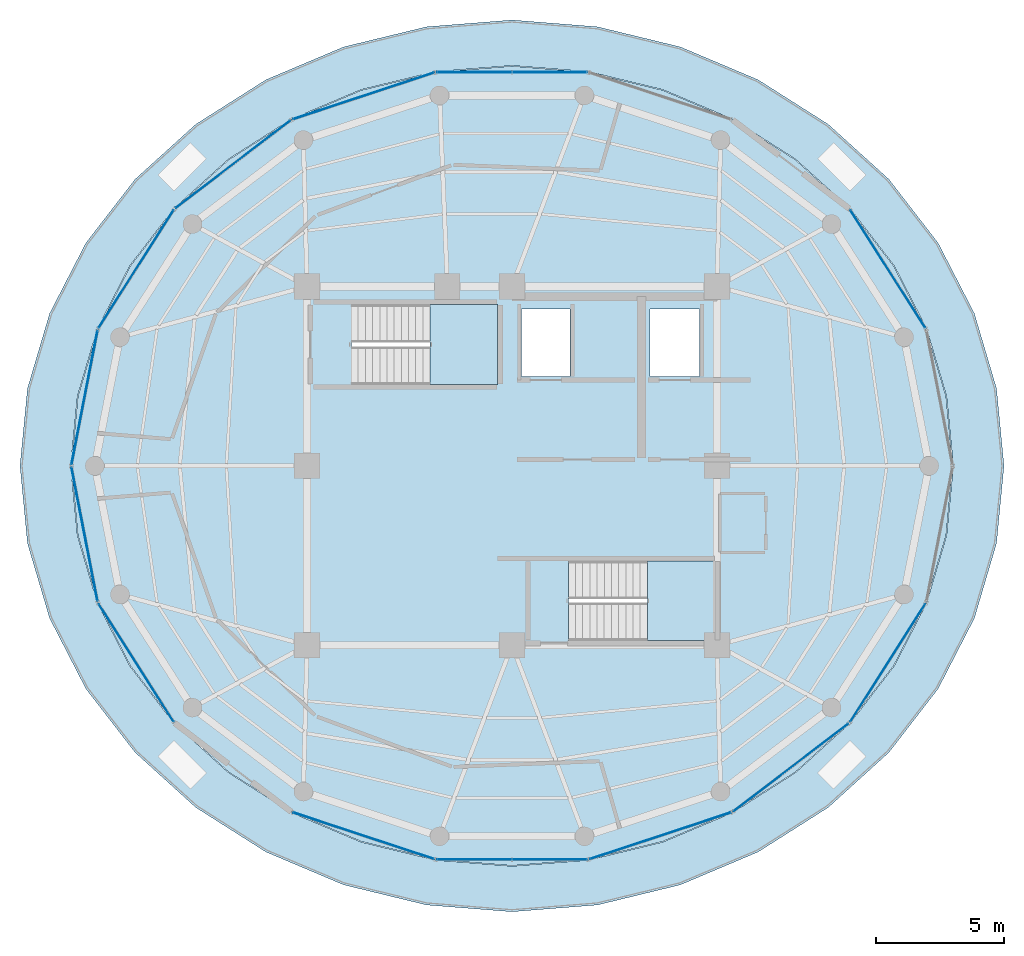
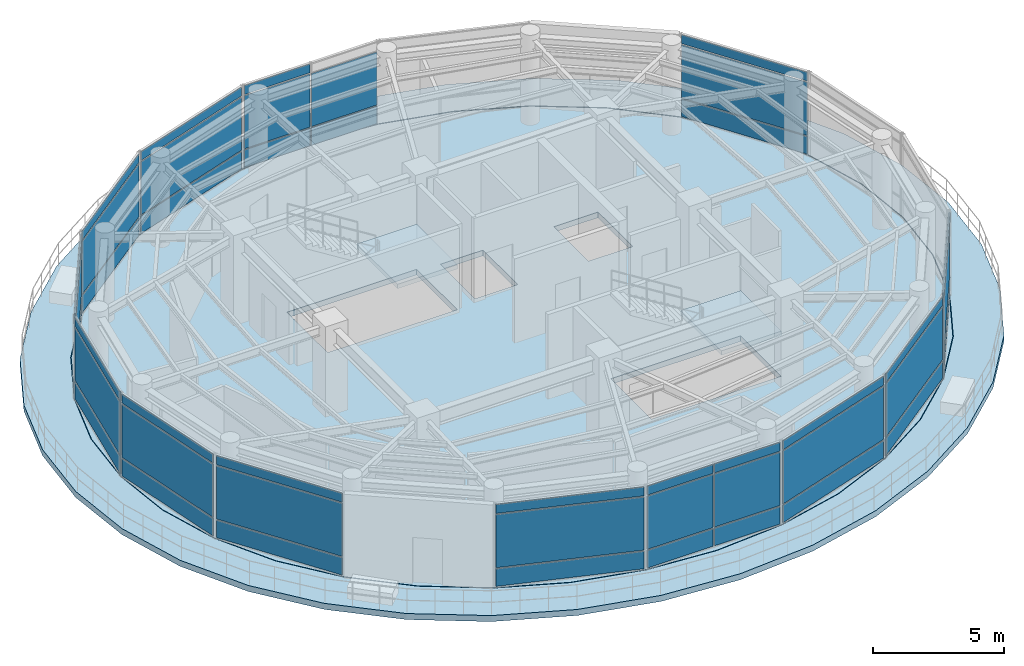
# One storey, part 16 of 20: 44 plates, 4 slabs, 15 elements without a shape of their own.
"""IFC4 building model written with IfcOpenShell, lengths in metres."""

from ifc_helpers import new_model, si_unit, direction, frame, origin, origin_2d, place, context, subcontext, project, spatial, polyline, rectangle, outline, extrude, source, transform, mapped, material, layer, layer_set, type_object, element, aggregate, save


model = new_model("IFC4")

# Units and contexts
model_context = context("Model", 3, precision=1e-05, world=origin(), true_north=direction((0.0, 1.0)))
body_context = subcontext(model_context, "Body", "Model", "MODEL_VIEW")
ifc_project = project(units=[si_unit("LENGTHUNIT", "METRE"), si_unit("AREAUNIT", "SQUARE_METRE"), si_unit("VOLUMEUNIT", "CUBIC_METRE"), si_unit("PLANEANGLEUNIT", "RADIAN"), si_unit("MASSUNIT", "GRAM", prefix="KILO")], contexts=[model_context])

# Site, building, storey
site_placement = place(None, origin())
site = spatial("IfcSite", under=ifc_project, at=site_placement, CompositionType="ELEMENT")
building_placement = place(site_placement, origin())
building = spatial("IfcBuilding", under=site, at=building_placement, Name="Kelanora Arch Commons", CompositionType="ELEMENT")
storey_placement = place(building_placement, frame((0.0, 0.0, 298.5)))
storey = spatial("IfcBuildingStorey", under=building, at=storey_placement, Name="L76", CompositionType="ELEMENT", Elevation=298.5)

# Slab
ifc_material_1 = material(Name="Concrete C40/50", Category="concrete")
ifc_layer_1 = layer(ifc_material_1, 0.280029296875)
ifc_layer_set_1 = layer_set([ifc_layer_1], Name="Concrete C40/50")
slab_type_1 = type_object("IfcSlabType", Name="SLB-SET-TERR", PredefinedType="FLOOR", material=ifc_layer_set_1)
slab_1_placement = place(storey_placement, frame((0.0, 0.0, -0.280029296875)))
element("IfcSlab", 1, at=slab_1_placement, inside=storey, type_object=slab_type_1, Name="Setback Planted Sky-Terrace Slab L76", PredefinedType="FLOOR", context=body_context, shape_type="SweptSolid", body=[
    extrude(outline(polyline([(93.199951171875, 58.0), (92.908203125, 61.021484375), (92.0419921875, 63.951171875), (90.627685546875, 66.699951171875), (88.7080078125, 69.1845703125), (86.341552734375, 71.3291015625), (83.60009765625, 73.06884765625), (80.56689453125, 74.3505859375), (77.333984375, 75.1357421875), (74.0, 75.39990234375), (70.666015625, 75.1357421875), (67.43310546875, 74.3505859375), (64.39990234375, 73.06884765625), (61.658447265625, 71.3291015625), (59.2919921875, 69.1845703125), (57.372314453125, 66.699951171875), (55.9580078125, 63.951171875), (55.091796875, 61.021484375), (54.800048828125, 58.0), (55.091796875, 54.978515625), (55.9580078125, 52.048828125), (57.372314453125, 49.300048828125), (59.2919921875, 46.8154296875), (61.658447265625, 44.6708984375), (64.39990234375, 42.93115234375), (67.43310546875, 41.6494140625), (70.666015625, 40.8642578125), (74.0, 40.60009765625), (77.333984375, 40.8642578125), (80.56689453125, 41.6494140625), (83.60009765625, 42.93115234375), (86.341552734375, 44.6708984375), (88.7080078125, 46.8154296875), (90.627685546875, 49.300048828125), (92.0419921875, 52.048828125), (92.908203125, 54.978515625), (93.199951171875, 58.0)]), holes=[polyline([(90.95849609375, 55.28759765625), (90.181396484375, 52.65771484375), (88.9130859375, 50.18994140625), (87.19140625, 47.959716796875), (85.06884765625, 46.034423828125), (82.610107421875, 44.47265625), (79.8896484375, 43.322021484375), (76.990234375, 42.6171875), (74.0, 42.3798828125), (71.009765625, 42.6171875), (68.1103515625, 43.322021484375), (65.389892578125, 44.47265625), (62.93115234375, 46.034423828125), (60.80859375, 47.959716796875), (59.0869140625, 50.18994140625), (57.818603515625, 52.65771484375), (57.04150390625, 55.28759765625), (56.780029296875, 58.0), (57.04150390625, 60.71240234375), (57.818603515625, 63.34228515625), (59.0869140625, 65.81005859375), (60.80859375, 68.040283203125), (62.93115234375, 69.965576171875), (65.389892578125, 71.52734375), (68.1103515625, 72.677978515625), (71.009765625, 73.3828125), (74.0, 73.6201171875), (76.990234375, 73.3828125), (79.8896484375, 72.677978515625), (82.610107421875, 71.52734375), (85.06884765625, 69.965576171875), (87.19140625, 68.040283203125), (88.9130859375, 65.81005859375), (90.181396484375, 63.34228515625), (90.95849609375, 60.71240234375), (91.219970703125, 58.0), (90.95849609375, 55.28759765625)])]), origin(), (0.0, 0.0, 1.0), 0.280029296875),
])

# Stair, slab
stair_type = type_object("IfcStairType", Name="STR-DL-420", PredefinedType="HALF_TURN_STAIR", material=ifc_material_1)
stair_1_placement = place(storey_placement, origin())
stair_1 = element("IfcStair", 2, at=stair_1_placement, inside=storey, type_object=stair_type, Name="L76 ST-T1", PredefinedType="HALF_TURN_STAIR")
ifc_layer_2 = layer(ifc_material_1, 0.199951171875)
ifc_layer_set_2 = layer_set([ifc_layer_2], Name="Concrete C40/50")
slab_type_2 = type_object("IfcSlabType", Name="SLB-STAIR-LND", PredefinedType="LANDING", material=ifc_layer_set_2)
slab_2_placement = place(storey_placement, frame((0.0, 0.0, 1.89990234375)))
slab_2 = element("IfcSlab", 3, at=slab_2_placement, type_object=slab_type_2, Name="ST-T1 landing 1", PredefinedType="LANDING", context=body_context, shape_type="SweptSolid", body=[
    extrude(outline(polyline([(70.800048828125, 61.179931640625), (73.43994140625, 61.179931640625), (73.43994140625, 64.2900390625), (70.800048828125, 64.2900390625), (70.800048828125, 61.179931640625)])), origin(), (0.0, 0.0, 1.0), 0.2001953125),
])
aggregate(stair_1, [slab_2])

stair_2_placement = place(storey_placement, origin())
stair_2 = element("IfcStair", 4, at=stair_2_placement, inside=storey, type_object=stair_type, Name="L76 ST-T2", PredefinedType="HALF_TURN_STAIR")
slab_3_placement = place(storey_placement, frame((0.0, 0.0, 1.89990234375)))
slab_3 = element("IfcSlab", 5, at=slab_3_placement, type_object=slab_type_2, Name="ST-T2 landing 1", PredefinedType="LANDING", context=body_context, shape_type="SweptSolid", body=[
    extrude(outline(polyline([(79.280029296875, 51.179931640625), (81.919921875, 51.179931640625), (81.919921875, 54.2900390625), (79.280029296875, 54.2900390625), (79.280029296875, 51.179931640625)])), origin(), (0.0, 0.0, 1.0), 0.2001953125),
])
aggregate(stair_2, [slab_3])

# Slab
ifc_layer_3 = layer(ifc_material_1, 0.260009765625)
ifc_layer_set_3 = layer_set([ifc_layer_3], Name="Concrete C40/50")
slab_type_3 = type_object("IfcSlabType", Name="SLB-TWR-TYP", PredefinedType="FLOOR", material=ifc_layer_set_3)
slab_4_placement = place(storey_placement, frame((0.0, 0.0, -0.260009765625)))
element("IfcSlab", 6, at=slab_4_placement, inside=storey, type_object=slab_type_3, Name="Tower Floor Slab L76", PredefinedType="FLOOR", context=body_context, shape_type="SweptSolid", body=[
    extrude(outline(polyline([(91.199951171875, 58.0), (90.938720703125, 60.708984375), (90.16259765625, 63.33544921875), (88.8955078125, 65.800048828125), (87.176025390625, 68.027587890625), (85.055908203125, 69.9501953125), (82.60009765625, 71.510009765625), (79.8828125, 72.6591796875), (76.98681640625, 73.363037109375), (74.0, 73.60009765625), (71.01318359375, 73.363037109375), (68.1171875, 72.6591796875), (65.39990234375, 71.510009765625), (62.944091796875, 69.9501953125), (60.823974609375, 68.027587890625), (59.1044921875, 65.800048828125), (57.83740234375, 63.33544921875), (57.061279296875, 60.708984375), (56.800048828125, 58.0), (57.061279296875, 55.291015625), (57.83740234375, 52.66455078125), (59.1044921875, 50.199951171875), (60.823974609375, 47.972412109375), (62.944091796875, 46.0498046875), (65.39990234375, 44.489990234375), (68.1171875, 43.3408203125), (71.01318359375, 42.636962890625), (74.0, 42.39990234375), (76.98681640625, 42.636962890625), (79.8828125, 43.3408203125), (82.60009765625, 44.489990234375), (85.055908203125, 46.0498046875), (87.176025390625, 47.972412109375), (88.8955078125, 50.199951171875), (90.16259765625, 52.66455078125), (90.938720703125, 55.291015625), (91.199951171875, 58.0)]), holes=[polyline([(81.912109375, 51.18798828125), (76.2080078125, 51.18798828125), (76.2080078125, 54.281982421875), (81.912109375, 54.281982421875), (81.912109375, 51.18798828125)]), polyline([(73.431884765625, 61.18798828125), (67.72802734375, 61.18798828125), (67.72802734375, 64.281982421875), (73.431884765625, 64.281982421875), (73.431884765625, 61.18798828125)]), polyline([(76.260009765625, 61.47998046875), (74.3798828125, 61.47998046875), (74.3798828125, 64.1201171875), (76.260009765625, 64.1201171875), (76.260009765625, 61.47998046875)]), polyline([(81.320068359375, 61.47998046875), (79.3798828125, 61.47998046875), (79.3798828125, 64.1201171875), (81.320068359375, 64.1201171875), (81.320068359375, 61.47998046875)])]), origin(), (0.0, 0.0, 1.0), 0.260009765625),
])

# Curtain wall, plate
ifc_material_2 = material(Name="Terracotta ceramic-fritted low-E glass and aluminium", Category="masonry")
ifc_layer_4 = layer(ifc_material_2, 0.14990234375)
ifc_layer_set_4 = layer_set([ifc_layer_4], Name="Terracotta ceramic-fritted low-E glass and aluminium")
curtain_wall_type = type_object("IfcCurtainWallType", Name="CW-SYS-06", PredefinedType="NOTDEFINED", material=ifc_layer_set_4)
curtain_wall_1_placement = place(storey_placement, origin())
curtain_wall_1 = element("IfcCurtainWall", 7, at=curtain_wall_1_placement, inside=storey, type_object=curtain_wall_type, Name="Unitised Curtain Wall L76-B08", PredefinedType="NOTDEFINED")
ifc_material_3 = material(Name="Terracotta ceramic-fritted double glazing", Category="masonry")
ifc_layer_5 = layer(ifc_material_3, 0.028076171875)
ifc_layer_set_5 = layer_set([ifc_layer_5], Name="Terracotta ceramic-fritted double glazing")
plate_type = type_object("IfcPlateType", Name="CWP-FRIT", PredefinedType="CURTAIN_PANEL", material=ifc_layer_set_5)
shared_shape_1 = source(origin(), body_context, "Body", "SweptSolid", [
    extrude(rectangle(XDim=5.285400390625, YDim=0.028076171875, at=origin_2d()), origin(), (0.0, 0.0, 1.0), 0.81005859375),
])
plate_1_placement = place(storey_placement, frame((57.318603515625, 60.667724609375, 0.06005859375), z_axis=(0.0, 0.0, 1.0), x_axis=(-0.190826579571, -0.981623765263, 0.0)))
plate_1 = element("IfcPlate", 8, at=plate_1_placement, type_object=plate_type, Name="CW-06 panel 1.1", PredefinedType="CURTAIN_PANEL", context=body_context, shape_type="MappedRepresentation", body=[
    mapped(shared_shape_1, transform((0.0, 0.0, 0.0), scale=1.0)),
])

curtain_wall_2_placement = place(storey_placement, origin())
curtain_wall_2 = element("IfcCurtainWall", 9, at=curtain_wall_2_placement, inside=storey, type_object=curtain_wall_type, Name="Unitised Curtain Wall L76-B09", PredefinedType="NOTDEFINED")
plate_2_placement = place(storey_placement, frame((57.318603515625, 55.332275390625, 0.06005859375), z_axis=(0.0, 0.0, 1.0), x_axis=(0.190826579571, -0.981623765263, 0.0)))
plate_2 = element("IfcPlate", 10, at=plate_2_placement, type_object=plate_type, Name="CW-06 panel 1.1", PredefinedType="CURTAIN_PANEL", context=body_context, shape_type="MappedRepresentation", body=[
    mapped(shared_shape_1, transform((0.0, 0.0, 0.0), scale=1.0)),
])

# Plate
shared_shape_2 = source(origin(), body_context, "Body", "SweptSolid", [
    extrude(rectangle(XDim=5.285400390625, YDim=0.028076171875, at=origin_2d()), origin(), (0.0, 0.0, 1.0), 2.465087890625),
])
plate_3_placement = place(storey_placement, frame((57.318603515625, 60.667724609375, 0.93017578125), z_axis=(0.0, 0.0, 1.0), x_axis=(-0.190826579571, -0.981623765263, 0.0)))
plate_3 = element("IfcPlate", 11, at=plate_3_placement, type_object=plate_type, Name="CW-06 panel 1.2", PredefinedType="CURTAIN_PANEL", context=body_context, shape_type="MappedRepresentation", body=[
    mapped(shared_shape_2, transform((0.0, 0.0, 0.0), scale=1.0)),
])

plate_4_placement = place(storey_placement, frame((57.318603515625, 55.332275390625, 0.93017578125), z_axis=(0.0, 0.0, 1.0), x_axis=(0.190826579571, -0.981623765263, 0.0)))
plate_4 = element("IfcPlate", 12, at=plate_4_placement, type_object=plate_type, Name="CW-06 panel 1.2", PredefinedType="CURTAIN_PANEL", context=body_context, shape_type="MappedRepresentation", body=[
    mapped(shared_shape_2, transform((0.0, 0.0, 0.0), scale=1.0)),
])

shared_shape_3 = source(origin(), body_context, "Body", "SweptSolid", [
    extrude(rectangle(XDim=5.285400390625, YDim=0.028076171875, at=origin_2d()), origin(), (0.0, 0.0, 1.0), 0.409912109375),
])
plate_5_placement = place(storey_placement, frame((57.318603515625, 60.667724609375, 3.455078125), z_axis=(0.0, 0.0, 1.0), x_axis=(-0.190826579571, -0.981623765263, 0.0)))
plate_5 = element("IfcPlate", 13, at=plate_5_placement, type_object=plate_type, Name="CW-06 panel 1.3", PredefinedType="CURTAIN_PANEL", context=body_context, shape_type="MappedRepresentation", body=[
    mapped(shared_shape_3, transform((0.0, 0.0, 0.0), scale=1.0)),
])

aggregate(curtain_wall_1, [plate_1, plate_3, plate_5])

plate_6_placement = place(storey_placement, frame((57.318603515625, 55.332275390625, 3.455078125), z_axis=(0.0, 0.0, 1.0), x_axis=(0.190826579571, -0.981623765263, 0.0)))
plate_6 = element("IfcPlate", 14, at=plate_6_placement, type_object=plate_type, Name="CW-06 panel 1.3", PredefinedType="CURTAIN_PANEL", context=body_context, shape_type="MappedRepresentation", body=[
    mapped(shared_shape_3, transform((0.0, 0.0, 0.0), scale=1.0)),
])

aggregate(curtain_wall_2, [plate_2, plate_4, plate_6])

# Curtain wall, plate
curtain_wall_3_placement = place(storey_placement, origin())
curtain_wall_3 = element("IfcCurtainWall", 15, at=curtain_wall_3_placement, inside=storey, type_object=curtain_wall_type, Name="Unitised Curtain Wall L76-B01", PredefinedType="NOTDEFINED")
shared_shape_4 = source(origin(), body_context, "Body", "SweptSolid", [
    extrude(rectangle(XDim=5.411865234375, YDim=0.028076171875, at=origin_2d()), origin(), (0.0, 0.0, 1.0), 0.81005859375),
])
plate_7_placement = place(storey_placement, frame((88.66943359375, 65.681396484375, 0.06005859375), z_axis=(0.0, 0.0, 1.0), x_axis=(-0.536984270154, 0.84359225554, 0.0)))
plate_7 = element("IfcPlate", 16, at=plate_7_placement, type_object=plate_type, Name="CW-06 panel 1.1", PredefinedType="CURTAIN_PANEL", context=body_context, shape_type="MappedRepresentation", body=[
    mapped(shared_shape_4, transform((0.0, 0.0, 0.0), scale=1.0)),
])

curtain_wall_4_placement = place(storey_placement, origin())
curtain_wall_4 = element("IfcCurtainWall", 17, at=curtain_wall_4_placement, inside=storey, type_object=curtain_wall_type, Name="Unitised Curtain Wall L76-B07", PredefinedType="NOTDEFINED")
plate_8_placement = place(storey_placement, frame((59.33056640625, 65.681396484375, 0.06005859375), z_axis=(0.0, 0.0, 1.0), x_axis=(-0.536984270154, -0.84359225554, 0.0)))
plate_8 = element("IfcPlate", 18, at=plate_8_placement, type_object=plate_type, Name="CW-06 panel 1.1", PredefinedType="CURTAIN_PANEL", context=body_context, shape_type="MappedRepresentation", body=[
    mapped(shared_shape_4, transform((0.0, 0.0, 0.0), scale=1.0)),
])

curtain_wall_5_placement = place(storey_placement, origin())
curtain_wall_5 = element("IfcCurtainWall", 19, at=curtain_wall_5_placement, inside=storey, type_object=curtain_wall_type, Name="Unitised Curtain Wall L76-B10", PredefinedType="NOTDEFINED")
plate_9_placement = place(storey_placement, frame((59.33056640625, 50.318603515625, 0.06005859375), z_axis=(0.0, 0.0, 1.0), x_axis=(0.536984270154, -0.84359225554, 0.0)))
plate_9 = element("IfcPlate", 20, at=plate_9_placement, type_object=plate_type, Name="CW-06 panel 1.1", PredefinedType="CURTAIN_PANEL", context=body_context, shape_type="MappedRepresentation", body=[
    mapped(shared_shape_4, transform((0.0, 0.0, 0.0), scale=1.0)),
])

curtain_wall_6_placement = place(storey_placement, origin())
curtain_wall_6 = element("IfcCurtainWall", 21, at=curtain_wall_6_placement, inside=storey, type_object=curtain_wall_type, Name="Unitised Curtain Wall L76-B16", PredefinedType="NOTDEFINED")
plate_10_placement = place(storey_placement, frame((88.66943359375, 50.318603515625, 0.06005859375), z_axis=(0.0, 0.0, 1.0), x_axis=(0.536984270154, 0.84359225554, 0.0)))
plate_10 = element("IfcPlate", 22, at=plate_10_placement, type_object=plate_type, Name="CW-06 panel 1.1", PredefinedType="CURTAIN_PANEL", context=body_context, shape_type="MappedRepresentation", body=[
    mapped(shared_shape_4, transform((0.0, 0.0, 0.0), scale=1.0)),
])

# Plate
shared_shape_5 = source(origin(), body_context, "Body", "SweptSolid", [
    extrude(rectangle(XDim=5.411865234375, YDim=0.028076171875, at=origin_2d()), origin(), (0.0, 0.0, 1.0), 2.465087890625),
])
plate_11_placement = place(storey_placement, frame((88.66943359375, 65.681396484375, 0.93017578125), z_axis=(0.0, 0.0, 1.0), x_axis=(-0.536984270154, 0.84359225554, 0.0)))
plate_11 = element("IfcPlate", 23, at=plate_11_placement, type_object=plate_type, Name="CW-06 panel 1.2", PredefinedType="CURTAIN_PANEL", context=body_context, shape_type="MappedRepresentation", body=[
    mapped(shared_shape_5, transform((0.0, 0.0, 0.0), scale=1.0)),
])

plate_12_placement = place(storey_placement, frame((59.33056640625, 65.681396484375, 0.93017578125), z_axis=(0.0, 0.0, 1.0), x_axis=(-0.536984270154, -0.84359225554, 0.0)))
plate_12 = element("IfcPlate", 24, at=plate_12_placement, type_object=plate_type, Name="CW-06 panel 1.2", PredefinedType="CURTAIN_PANEL", context=body_context, shape_type="MappedRepresentation", body=[
    mapped(shared_shape_5, transform((0.0, 0.0, 0.0), scale=1.0)),
])

plate_13_placement = place(storey_placement, frame((59.33056640625, 50.318603515625, 0.93017578125), z_axis=(0.0, 0.0, 1.0), x_axis=(0.536984270154, -0.84359225554, 0.0)))
plate_13 = element("IfcPlate", 25, at=plate_13_placement, type_object=plate_type, Name="CW-06 panel 1.2", PredefinedType="CURTAIN_PANEL", context=body_context, shape_type="MappedRepresentation", body=[
    mapped(shared_shape_5, transform((0.0, 0.0, 0.0), scale=1.0)),
])

plate_14_placement = place(storey_placement, frame((88.66943359375, 50.318603515625, 0.93017578125), z_axis=(0.0, 0.0, 1.0), x_axis=(0.536984270154, 0.84359225554, 0.0)))
plate_14 = element("IfcPlate", 26, at=plate_14_placement, type_object=plate_type, Name="CW-06 panel 1.2", PredefinedType="CURTAIN_PANEL", context=body_context, shape_type="MappedRepresentation", body=[
    mapped(shared_shape_5, transform((0.0, 0.0, 0.0), scale=1.0)),
])

shared_shape_6 = source(origin(), body_context, "Body", "SweptSolid", [
    extrude(rectangle(XDim=5.411865234375, YDim=0.028076171875, at=origin_2d()), origin(), (0.0, 0.0, 1.0), 0.409912109375),
])
plate_15_placement = place(storey_placement, frame((88.66943359375, 65.681396484375, 3.455078125), z_axis=(0.0, 0.0, 1.0), x_axis=(-0.536984270154, 0.84359225554, 0.0)))
plate_15 = element("IfcPlate", 27, at=plate_15_placement, type_object=plate_type, Name="CW-06 panel 1.3", PredefinedType="CURTAIN_PANEL", context=body_context, shape_type="MappedRepresentation", body=[
    mapped(shared_shape_6, transform((0.0, 0.0, 0.0), scale=1.0)),
])

aggregate(curtain_wall_3, [plate_7, plate_11, plate_15])

plate_16_placement = place(storey_placement, frame((59.33056640625, 65.681396484375, 3.455078125), z_axis=(0.0, 0.0, 1.0), x_axis=(-0.536984270154, -0.84359225554, 0.0)))
plate_16 = element("IfcPlate", 28, at=plate_16_placement, type_object=plate_type, Name="CW-06 panel 1.3", PredefinedType="CURTAIN_PANEL", context=body_context, shape_type="MappedRepresentation", body=[
    mapped(shared_shape_6, transform((0.0, 0.0, 0.0), scale=1.0)),
])

aggregate(curtain_wall_4, [plate_8, plate_12, plate_16])

plate_17_placement = place(storey_placement, frame((59.33056640625, 50.318603515625, 3.455078125), z_axis=(0.0, 0.0, 1.0), x_axis=(0.536984270154, -0.84359225554, 0.0)))
plate_17 = element("IfcPlate", 29, at=plate_17_placement, type_object=plate_type, Name="CW-06 panel 1.3", PredefinedType="CURTAIN_PANEL", context=body_context, shape_type="MappedRepresentation", body=[
    mapped(shared_shape_6, transform((0.0, 0.0, 0.0), scale=1.0)),
])

aggregate(curtain_wall_5, [plate_9, plate_13, plate_17])

plate_18_placement = place(storey_placement, frame((88.66943359375, 50.318603515625, 3.455078125), z_axis=(0.0, 0.0, 1.0), x_axis=(0.536984270154, 0.84359225554, 0.0)))
plate_18 = element("IfcPlate", 30, at=plate_18_placement, type_object=plate_type, Name="CW-06 panel 1.3", PredefinedType="CURTAIN_PANEL", context=body_context, shape_type="MappedRepresentation", body=[
    mapped(shared_shape_6, transform((0.0, 0.0, 0.0), scale=1.0)),
])

aggregate(curtain_wall_6, [plate_10, plate_14, plate_18])

# Curtain wall, plate
curtain_wall_7_placement = place(storey_placement, origin())
curtain_wall_7 = element("IfcCurtainWall", 31, at=curtain_wall_7_placement, inside=storey, type_object=curtain_wall_type, Name="Unitised Curtain Wall L76-B05", PredefinedType="NOTDEFINED")
shared_shape_7 = source(origin(), body_context, "Body", "SweptSolid", [
    extrude(rectangle(XDim=5.76123046875, YDim=0.028076171875, at=origin_2d()), origin(), (0.0, 0.0, 1.0), 0.81005859375),
])
plate_19_placement = place(storey_placement, frame((68.20654296875, 72.4365234375, 0.06005859375), z_axis=(0.0, 0.0, 1.0), x_axis=(-0.949599145368, -0.313466845323, 0.0)))
plate_19 = element("IfcPlate", 32, at=plate_19_placement, type_object=plate_type, Name="CW-06 panel 1.1", PredefinedType="CURTAIN_PANEL", context=body_context, shape_type="MappedRepresentation", body=[
    mapped(shared_shape_7, transform((0.0, 0.0, 0.0), scale=1.0)),
])

curtain_wall_8_placement = place(storey_placement, origin())
curtain_wall_8 = element("IfcCurtainWall", 33, at=curtain_wall_8_placement, inside=storey, type_object=curtain_wall_type, Name="Unitised Curtain Wall L76-B12", PredefinedType="NOTDEFINED")
plate_20_placement = place(storey_placement, frame((68.20654296875, 43.5634765625, 0.06005859375), z_axis=(0.0, 0.0, 1.0), x_axis=(0.949599145368, -0.313466845323, 0.0)))
plate_20 = element("IfcPlate", 34, at=plate_20_placement, type_object=plate_type, Name="CW-06 panel 1.1", PredefinedType="CURTAIN_PANEL", context=body_context, shape_type="MappedRepresentation", body=[
    mapped(shared_shape_7, transform((0.0, 0.0, 0.0), scale=1.0)),
])

curtain_wall_9_placement = place(storey_placement, origin())
curtain_wall_9 = element("IfcCurtainWall", 35, at=curtain_wall_9_placement, inside=storey, type_object=curtain_wall_type, Name="Unitised Curtain Wall L76-B14", PredefinedType="NOTDEFINED")
plate_21_placement = place(storey_placement, frame((79.79345703125, 43.5634765625, 0.06005859375), z_axis=(0.0, 0.0, 1.0), x_axis=(0.949599145368, 0.313466845323, 0.0)))
plate_21 = element("IfcPlate", 36, at=plate_21_placement, type_object=plate_type, Name="CW-06 panel 1.1", PredefinedType="CURTAIN_PANEL", context=body_context, shape_type="MappedRepresentation", body=[
    mapped(shared_shape_7, transform((0.0, 0.0, 0.0), scale=1.0)),
])

# Plate
shared_shape_8 = source(origin(), body_context, "Body", "SweptSolid", [
    extrude(rectangle(XDim=5.76123046875, YDim=0.028076171875, at=origin_2d()), origin(), (0.0, 0.0, 1.0), 2.465087890625),
])
plate_22_placement = place(storey_placement, frame((68.20654296875, 72.4365234375, 0.93017578125), z_axis=(0.0, 0.0, 1.0), x_axis=(-0.949599145368, -0.313466845323, 0.0)))
plate_22 = element("IfcPlate", 37, at=plate_22_placement, type_object=plate_type, Name="CW-06 panel 1.2", PredefinedType="CURTAIN_PANEL", context=body_context, shape_type="MappedRepresentation", body=[
    mapped(shared_shape_8, transform((0.0, 0.0, 0.0), scale=1.0)),
])

plate_23_placement = place(storey_placement, frame((68.20654296875, 43.5634765625, 0.93017578125), z_axis=(0.0, 0.0, 1.0), x_axis=(0.949599145368, -0.313466845323, 0.0)))
plate_23 = element("IfcPlate", 38, at=plate_23_placement, type_object=plate_type, Name="CW-06 panel 1.2", PredefinedType="CURTAIN_PANEL", context=body_context, shape_type="MappedRepresentation", body=[
    mapped(shared_shape_8, transform((0.0, 0.0, 0.0), scale=1.0)),
])

plate_24_placement = place(storey_placement, frame((79.79345703125, 43.5634765625, 0.93017578125), z_axis=(0.0, 0.0, 1.0), x_axis=(0.949599145368, 0.313466845323, 0.0)))
plate_24 = element("IfcPlate", 39, at=plate_24_placement, type_object=plate_type, Name="CW-06 panel 1.2", PredefinedType="CURTAIN_PANEL", context=body_context, shape_type="MappedRepresentation", body=[
    mapped(shared_shape_8, transform((0.0, 0.0, 0.0), scale=1.0)),
])

shared_shape_9 = source(origin(), body_context, "Body", "SweptSolid", [
    extrude(rectangle(XDim=5.76123046875, YDim=0.028076171875, at=origin_2d()), origin(), (0.0, 0.0, 1.0), 0.409912109375),
])
plate_25_placement = place(storey_placement, frame((68.20654296875, 72.4365234375, 3.455078125), z_axis=(0.0, 0.0, 1.0), x_axis=(-0.949599145368, -0.313466845323, 0.0)))
plate_25 = element("IfcPlate", 40, at=plate_25_placement, type_object=plate_type, Name="CW-06 panel 1.3", PredefinedType="CURTAIN_PANEL", context=body_context, shape_type="MappedRepresentation", body=[
    mapped(shared_shape_9, transform((0.0, 0.0, 0.0), scale=1.0)),
])

aggregate(curtain_wall_7, [plate_19, plate_22, plate_25])

plate_26_placement = place(storey_placement, frame((68.20654296875, 43.5634765625, 3.455078125), z_axis=(0.0, 0.0, 1.0), x_axis=(0.949599145368, -0.313466845323, 0.0)))
plate_26 = element("IfcPlate", 41, at=plate_26_placement, type_object=plate_type, Name="CW-06 panel 1.3", PredefinedType="CURTAIN_PANEL", context=body_context, shape_type="MappedRepresentation", body=[
    mapped(shared_shape_9, transform((0.0, 0.0, 0.0), scale=1.0)),
])

aggregate(curtain_wall_8, [plate_20, plate_23, plate_26])

plate_27_placement = place(storey_placement, frame((79.79345703125, 43.5634765625, 3.455078125), z_axis=(0.0, 0.0, 1.0), x_axis=(0.949599145368, 0.313466845323, 0.0)))
plate_27 = element("IfcPlate", 42, at=plate_27_placement, type_object=plate_type, Name="CW-06 panel 1.3", PredefinedType="CURTAIN_PANEL", context=body_context, shape_type="MappedRepresentation", body=[
    mapped(shared_shape_9, transform((0.0, 0.0, 0.0), scale=1.0)),
])

aggregate(curtain_wall_9, [plate_21, plate_24, plate_27])

# Curtain wall, plates
curtain_wall_10_placement = place(storey_placement, origin())
curtain_wall_10 = element("IfcCurtainWall", 43, at=curtain_wall_10_placement, inside=storey, type_object=curtain_wall_type, Name="Unitised Curtain Wall L76-B04", PredefinedType="NOTDEFINED")
shared_shape_10 = source(origin(), body_context, "Body", "SweptSolid", [
    extrude(rectangle(XDim=2.881591796875, YDim=0.028076171875, at=origin_2d()), origin(), (0.0, 0.0, 1.0), 0.81005859375),
])
plate_28_placement = place(storey_placement, frame((75.470947265625, 73.363037109375, 0.06005859375), z_axis=(0.0, 0.0, 1.0), x_axis=(-1.0, 0.0, 0.0)))
plate_28 = element("IfcPlate", 44, at=plate_28_placement, type_object=plate_type, Name="CW-06 panel 1.1", PredefinedType="CURTAIN_PANEL", context=body_context, shape_type="MappedRepresentation", body=[
    mapped(shared_shape_10, transform((0.0, 0.0, 0.0), scale=1.0)),
])
plate_29_placement = place(storey_placement, frame((72.529052734375, 73.363037109375, 0.06005859375), z_axis=(0.0, 0.0, 1.0), x_axis=(-1.0, 0.0, 0.0)))
plate_29 = element("IfcPlate", 45, at=plate_29_placement, type_object=plate_type, Name="CW-06 panel 2.1", PredefinedType="CURTAIN_PANEL", context=body_context, shape_type="MappedRepresentation", body=[
    mapped(shared_shape_10, transform((0.0, 0.0, 0.0), scale=1.0)),
])

curtain_wall_11_placement = place(storey_placement, origin())
curtain_wall_11 = element("IfcCurtainWall", 46, at=curtain_wall_11_placement, inside=storey, type_object=curtain_wall_type, Name="Unitised Curtain Wall L76-B13", PredefinedType="NOTDEFINED")
plate_30_placement = place(storey_placement, frame((72.529052734375, 42.636962890625, 0.06005859375), z_axis=(0.0, 0.0, 1.0), x_axis=(1.0, 0.0, 0.0)))
plate_30 = element("IfcPlate", 47, at=plate_30_placement, type_object=plate_type, Name="CW-06 panel 1.1", PredefinedType="CURTAIN_PANEL", context=body_context, shape_type="MappedRepresentation", body=[
    mapped(shared_shape_10, transform((0.0, 0.0, 0.0), scale=1.0)),
])
plate_31_placement = place(storey_placement, frame((75.470947265625, 42.636962890625, 0.06005859375), z_axis=(0.0, 0.0, 1.0), x_axis=(1.0, 0.0, 0.0)))
plate_31 = element("IfcPlate", 48, at=plate_31_placement, type_object=plate_type, Name="CW-06 panel 2.1", PredefinedType="CURTAIN_PANEL", context=body_context, shape_type="MappedRepresentation", body=[
    mapped(shared_shape_10, transform((0.0, 0.0, 0.0), scale=1.0)),
])

# Plate
shared_shape_11 = source(origin(), body_context, "Body", "SweptSolid", [
    extrude(rectangle(XDim=2.881591796875, YDim=0.028076171875, at=origin_2d()), origin(), (0.0, 0.0, 1.0), 2.465087890625),
])
plate_32_placement = place(storey_placement, frame((75.470947265625, 73.363037109375, 0.93017578125), z_axis=(0.0, 0.0, 1.0), x_axis=(-1.0, 0.0, 0.0)))
plate_32 = element("IfcPlate", 49, at=plate_32_placement, type_object=plate_type, Name="CW-06 panel 1.2", PredefinedType="CURTAIN_PANEL", context=body_context, shape_type="MappedRepresentation", body=[
    mapped(shared_shape_11, transform((0.0, 0.0, 0.0), scale=1.0)),
])

plate_33_placement = place(storey_placement, frame((72.529052734375, 73.363037109375, 0.93017578125), z_axis=(0.0, 0.0, 1.0), x_axis=(-1.0, 0.0, 0.0)))
plate_33 = element("IfcPlate", 50, at=plate_33_placement, type_object=plate_type, Name="CW-06 panel 2.2", PredefinedType="CURTAIN_PANEL", context=body_context, shape_type="MappedRepresentation", body=[
    mapped(shared_shape_11, transform((0.0, 0.0, 0.0), scale=1.0)),
])

plate_34_placement = place(storey_placement, frame((72.529052734375, 42.636962890625, 0.93017578125), z_axis=(0.0, 0.0, 1.0), x_axis=(1.0, 0.0, 0.0)))
plate_34 = element("IfcPlate", 51, at=plate_34_placement, type_object=plate_type, Name="CW-06 panel 1.2", PredefinedType="CURTAIN_PANEL", context=body_context, shape_type="MappedRepresentation", body=[
    mapped(shared_shape_11, transform((0.0, 0.0, 0.0), scale=1.0)),
])

plate_35_placement = place(storey_placement, frame((75.470947265625, 42.636962890625, 0.93017578125), z_axis=(0.0, 0.0, 1.0), x_axis=(1.0, 0.0, 0.0)))
plate_35 = element("IfcPlate", 52, at=plate_35_placement, type_object=plate_type, Name="CW-06 panel 2.2", PredefinedType="CURTAIN_PANEL", context=body_context, shape_type="MappedRepresentation", body=[
    mapped(shared_shape_11, transform((0.0, 0.0, 0.0), scale=1.0)),
])

shared_shape_12 = source(origin(), body_context, "Body", "SweptSolid", [
    extrude(rectangle(XDim=2.881591796875, YDim=0.028076171875, at=origin_2d()), origin(), (0.0, 0.0, 1.0), 0.409912109375),
])
plate_36_placement = place(storey_placement, frame((72.529052734375, 73.363037109375, 3.455078125), z_axis=(0.0, 0.0, 1.0), x_axis=(-1.0, 0.0, 0.0)))
plate_36 = element("IfcPlate", 53, at=plate_36_placement, type_object=plate_type, Name="CW-06 panel 2.3", PredefinedType="CURTAIN_PANEL", context=body_context, shape_type="MappedRepresentation", body=[
    mapped(shared_shape_12, transform((0.0, 0.0, 0.0), scale=1.0)),
])

aggregate(curtain_wall_10, [plate_28, plate_32, plate_29, plate_33, plate_36])

plate_37_placement = place(storey_placement, frame((72.529052734375, 42.636962890625, 3.455078125), z_axis=(0.0, 0.0, 1.0), x_axis=(1.0, 0.0, 0.0)))
plate_37 = element("IfcPlate", 54, at=plate_37_placement, type_object=plate_type, Name="CW-06 panel 1.3", PredefinedType="CURTAIN_PANEL", context=body_context, shape_type="MappedRepresentation", body=[
    mapped(shared_shape_12, transform((0.0, 0.0, 0.0), scale=1.0)),
])

plate_38_placement = place(storey_placement, frame((75.470947265625, 42.636962890625, 3.455078125), z_axis=(0.0, 0.0, 1.0), x_axis=(1.0, 0.0, 0.0)))
plate_38 = element("IfcPlate", 55, at=plate_38_placement, type_object=plate_type, Name="CW-06 panel 2.3", PredefinedType="CURTAIN_PANEL", context=body_context, shape_type="MappedRepresentation", body=[
    mapped(shared_shape_12, transform((0.0, 0.0, 0.0), scale=1.0)),
])

aggregate(curtain_wall_11, [plate_30, plate_34, plate_37, plate_31, plate_35, plate_38])

# Curtain wall, plate
curtain_wall_12_placement = place(storey_placement, origin())
curtain_wall_12 = element("IfcCurtainWall", 56, at=curtain_wall_12_placement, inside=storey, type_object=curtain_wall_type, Name="Unitised Curtain Wall L76-B06", PredefinedType="NOTDEFINED")
shared_shape_13 = source(origin(), body_context, "Body", "SweptSolid", [
    extrude(rectangle(XDim=5.6005859375, YDim=0.028076171875, at=origin_2d()), origin(), (0.0, 0.0, 1.0), 0.81005859375),
])
plate_39_placement = place(storey_placement, frame((63.112060546875, 69.768798828125, 0.06005859375), z_axis=(0.0, 0.0, 1.0), x_axis=(-0.795772286688, -0.605595960801, 0.0)))
plate_39 = element("IfcPlate", 57, at=plate_39_placement, type_object=plate_type, Name="CW-06 panel 1.1", PredefinedType="CURTAIN_PANEL", context=body_context, shape_type="MappedRepresentation", body=[
    mapped(shared_shape_13, transform((0.0, 0.0, 0.0), scale=1.0)),
])

curtain_wall_13_placement = place(storey_placement, origin())
curtain_wall_13 = element("IfcCurtainWall", 58, at=curtain_wall_13_placement, inside=storey, type_object=curtain_wall_type, Name="Unitised Curtain Wall L76-B15", PredefinedType="NOTDEFINED")
plate_40_placement = place(storey_placement, frame((84.887939453125, 46.231201171875, 0.06005859375), z_axis=(0.0, 0.0, 1.0), x_axis=(0.795772286688, 0.605595960801, 0.0)))
plate_40 = element("IfcPlate", 59, at=plate_40_placement, type_object=plate_type, Name="CW-06 panel 1.1", PredefinedType="CURTAIN_PANEL", context=body_context, shape_type="MappedRepresentation", body=[
    mapped(shared_shape_13, transform((0.0, 0.0, 0.0), scale=1.0)),
])

# Plate
shared_shape_14 = source(origin(), body_context, "Body", "SweptSolid", [
    extrude(rectangle(XDim=5.6005859375, YDim=0.028076171875, at=origin_2d()), origin(), (0.0, 0.0, 1.0), 2.465087890625),
])
plate_41_placement = place(storey_placement, frame((63.112060546875, 69.768798828125, 0.93017578125), z_axis=(0.0, 0.0, 1.0), x_axis=(-0.795772286688, -0.605595960801, 0.0)))
plate_41 = element("IfcPlate", 60, at=plate_41_placement, type_object=plate_type, Name="CW-06 panel 1.2", PredefinedType="CURTAIN_PANEL", context=body_context, shape_type="MappedRepresentation", body=[
    mapped(shared_shape_14, transform((0.0, 0.0, 0.0), scale=1.0)),
])

plate_42_placement = place(storey_placement, frame((84.887939453125, 46.231201171875, 0.93017578125), z_axis=(0.0, 0.0, 1.0), x_axis=(0.795772286688, 0.605595960801, 0.0)))
plate_42 = element("IfcPlate", 61, at=plate_42_placement, type_object=plate_type, Name="CW-06 panel 1.2", PredefinedType="CURTAIN_PANEL", context=body_context, shape_type="MappedRepresentation", body=[
    mapped(shared_shape_14, transform((0.0, 0.0, 0.0), scale=1.0)),
])

shared_shape_15 = source(origin(), body_context, "Body", "SweptSolid", [
    extrude(rectangle(XDim=5.6005859375, YDim=0.028076171875, at=origin_2d()), origin(), (0.0, 0.0, 1.0), 0.409912109375),
])
plate_43_placement = place(storey_placement, frame((63.112060546875, 69.768798828125, 3.455078125), z_axis=(0.0, 0.0, 1.0), x_axis=(-0.795772286688, -0.605595960801, 0.0)))
plate_43 = element("IfcPlate", 62, at=plate_43_placement, type_object=plate_type, Name="CW-06 panel 1.3", PredefinedType="CURTAIN_PANEL", context=body_context, shape_type="MappedRepresentation", body=[
    mapped(shared_shape_15, transform((0.0, 0.0, 0.0), scale=1.0)),
])

aggregate(curtain_wall_12, [plate_39, plate_41, plate_43])

plate_44_placement = place(storey_placement, frame((84.887939453125, 46.231201171875, 3.455078125), z_axis=(0.0, 0.0, 1.0), x_axis=(0.795772286688, 0.605595960801, 0.0)))
plate_44 = element("IfcPlate", 63, at=plate_44_placement, type_object=plate_type, Name="CW-06 panel 1.3", PredefinedType="CURTAIN_PANEL", context=body_context, shape_type="MappedRepresentation", body=[
    mapped(shared_shape_15, transform((0.0, 0.0, 0.0), scale=1.0)),
])

aggregate(curtain_wall_13, [plate_40, plate_42, plate_44])

save(model, "model.ifc")
